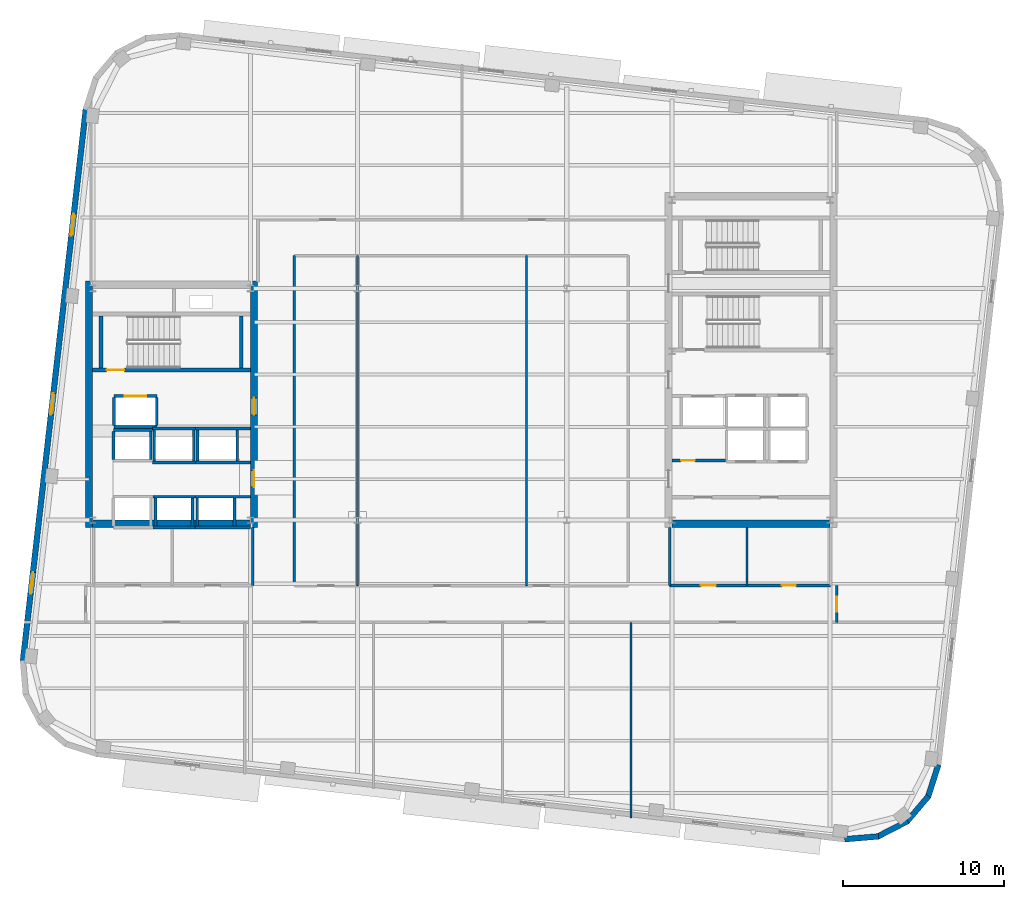
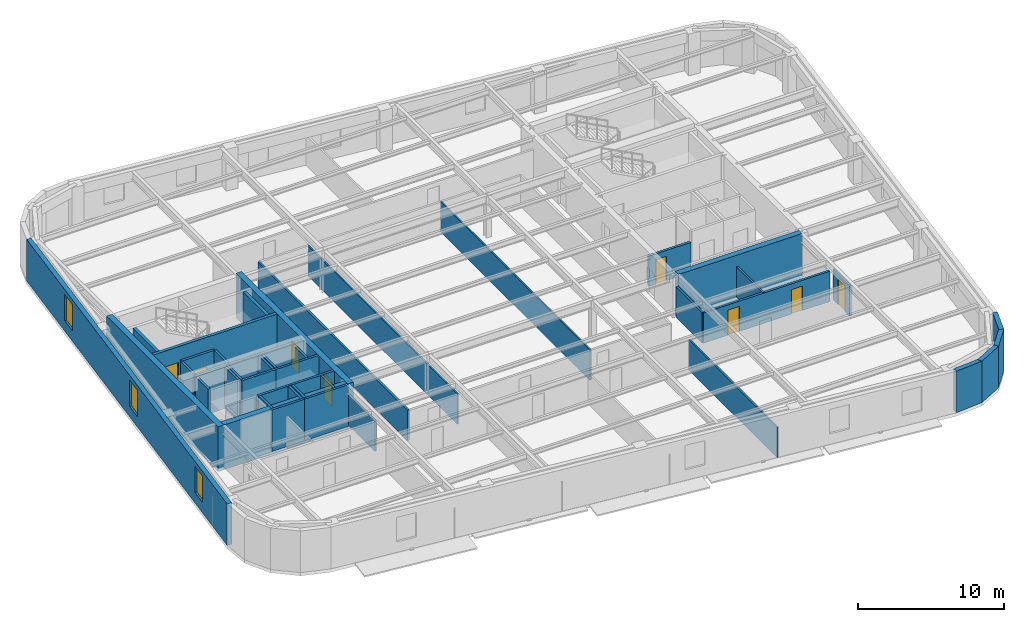
# One storey, part 6 of 12: 45 walls, 8 doors, 3 windows, 11 openings.
"""IFC4 building model written with IfcOpenShell, lengths in metres."""

import ifcopenshell
import ifcopenshell.guid

model = None  # the IFC model being written
_history = None  # IfcOwnerHistory: only IFC2X3 demands one
_inside = {}  # id of a spatial element -> (the spatial element, [elements in it])
_under = {}  # id of a project, library or spatial element -> (it, [spatial elements below it])
_declared = {}  # id of a project -> (the project, [libraries it declares])
_typed = {}  # id of a type object -> (the type object, [elements of that type])
_made_of = {}  # id of a material, layer set ... -> (it, [elements and type objects made of it])


def new_model(schema):
    """Start an empty IFC model of exactly this schema.

    Asked for "IFC4X3", IfcOpenShell would pick the latest addendum, in which some entities
    have other attributes; the version numbers below select the first issue.
    IFC2X3 requires an IfcOwnerHistory on every rooted entity: one is made here for all.
    """
    global model, _history
    if schema == "IFC4X3":
        model = ifcopenshell.file(schema_version=(4, 3, 0, 0))
    else:
        model = ifcopenshell.file(schema=schema)
    _inside.clear()
    _under.clear()
    _declared.clear()
    _typed.clear()
    _made_of.clear()
    _history = None
    if model.schema == "IFC2X3":
        org = make("IfcOrganization", Name="unknown")
        user = make(
            "IfcPersonAndOrganization",
            ThePerson=make("IfcPerson", FamilyName="unknown"),
            TheOrganization=org,
        )
        app = make(
            "IfcApplication",
            ApplicationDeveloper=org,
            Version="unknown",
            ApplicationFullName="unknown",
            ApplicationIdentifier="unknown",
        )
        _history = make(
            "IfcOwnerHistory",
            OwningUser=user,
            OwningApplication=app,
            ChangeAction="ADDED",
            CreationDate=0,
        )
    return model


def make(cls, **values):
    """One entity of the class cls with the attributes given. An attribute that is None is left unset."""
    return model.create_entity(
        cls, **{name: value for name, value in values.items() if value is not None}
    )


def rooted(cls, **values):
    """An entity with a GlobalId (a new one), such as an element, a storey or a relation."""
    return make(cls, GlobalId=ifcopenshell.guid.new(), OwnerHistory=_history, **values)


def si_unit(unit_type, name, prefix=None):
    """IfcSIUnit, for example si_unit("LENGTHUNIT", "METRE", prefix="MILLI")."""
    return make("IfcSIUnit", UnitType=unit_type, Prefix=prefix, Name=name)


def assignment(units):
    """IfcUnitAssignment: the units of a project."""
    return None if units is None else make("IfcUnitAssignment", Units=units)


def point(xyz):
    """IfcCartesianPoint."""
    return None if xyz is None else make("IfcCartesianPoint", Coordinates=xyz)


def direction(xyz):
    """IfcDirection."""
    return None if xyz is None else make("IfcDirection", DirectionRatios=xyz)


def frame(location, z_axis=None, x_axis=None):
    """IfcAxis2Placement3D, a coordinate frame: its origin and axes. An axis left out is left unset."""
    return make(
        "IfcAxis2Placement3D",
        Location=point(location),
        Axis=direction(z_axis),
        RefDirection=direction(x_axis),
    )


def frame_2d(location, x_axis=None):
    """IfcAxis2Placement2D, a coordinate frame in the plane: its origin and x axis."""
    return make(
        "IfcAxis2Placement2D", Location=point(location), RefDirection=direction(x_axis)
    )


def origin():
    """The frame at (0, 0, 0) with its axes left unset."""
    return frame((0.0, 0.0, 0.0))


def place(relative_to, where):
    """IfcLocalPlacement: puts the frame where relative to a parent placement (None: the world)."""
    return make(
        "IfcLocalPlacement", PlacementRelTo=relative_to, RelativePlacement=where
    )


def context(
    kind, dimensions, precision=None, world=None, true_north=None, identifier=None
):
    """IfcGeometricRepresentationContext, for example the 3D "Model" context."""
    return make(
        "IfcGeometricRepresentationContext",
        ContextIdentifier=identifier,
        ContextType=kind,
        CoordinateSpaceDimension=dimensions,
        Precision=precision,
        WorldCoordinateSystem=world,
        TrueNorth=true_north,
    )


def subcontext(parent, identifier, kind, view, scale=None):
    """IfcGeometricRepresentationSubContext, for example "Body" below "Model"."""
    return make(
        "IfcGeometricRepresentationSubContext",
        ContextIdentifier=identifier,
        ContextType=kind,
        ParentContext=parent,
        TargetScale=scale,
        TargetView=view,
    )


def project(units=None, contexts=None):
    """IfcProject with its units and contexts."""
    return rooted(
        "IfcProject",
        Name="project",
        RepresentationContexts=contexts,
        UnitsInContext=assignment(units),
    )


def spatial(cls, under=None, at=None, **own):
    """A site, building, storey or space (cls), placed at a placement, below another one or the project."""
    s = rooted(cls, ObjectPlacement=at, **own)
    if under is not None:
        _under.setdefault(under.id(), (under, []))[1].append(s)
    return s


def profile(cls, at=None, kind="AREA", **sizes):
    """A parametric profile (cls). Its sizes go by their IFC names, for example OverallWidth=200.0."""
    return make(cls, ProfileType=kind, Position=at, **sizes)


def rectangle(**sizes):
    """IfcRectangleProfileDef."""
    return profile("IfcRectangleProfileDef", **sizes)


def extrude(swept, where, along, depth):
    """IfcExtrudedAreaSolid: the profile swept, set in the frame where, extruded along a direction by depth."""
    return make(
        "IfcExtrudedAreaSolid",
        SweptArea=swept,
        Position=where,
        ExtrudedDirection=direction(along),
        Depth=depth,
    )


def shape(context_of_items, identifier, shape_type, items):
    """IfcShapeRepresentation: the items that make up one representation, for example the "Body"."""
    return make(
        "IfcShapeRepresentation",
        ContextOfItems=context_of_items,
        RepresentationIdentifier=identifier,
        RepresentationType=shape_type,
        Items=items,
    )


def material(Name=None, Category=None):
    """IfcMaterial."""
    return make("IfcMaterial", Name=Name, Category=Category)


def layer(
    of_material, thickness, ventilated=None, Name=None, Category=None, Priority=None
):
    """IfcMaterialLayer: one layer of a wall or slab, of a material (None: an air gap)."""
    return make(
        "IfcMaterialLayer",
        Material=of_material,
        LayerThickness=thickness,
        IsVentilated=ventilated,
        Name=Name,
        Category=Category,
        Priority=Priority,
    )


def layer_set(layers, Name=None):
    """IfcMaterialLayerSet."""
    return make("IfcMaterialLayerSet", MaterialLayers=layers, LayerSetName=Name)


def made_of(thing, what):
    """Note that an element or type object is made of a material, layer set ...; save() writes the relation."""
    if what is not None:
        _made_of.setdefault(what.id(), (what, []))[1].append(thing)
    return thing


def type_object(cls, material=None, **own):
    """A type object (cls), such as IfcWallType, which elements share."""
    return made_of(rooted(cls, **own), material)


def element(
    cls,
    number,
    at=None,
    inside=None,
    cuts=None,
    type_object=None,
    material=None,
    context=None,
    identifier="Body",
    shape_type=None,
    held_by="IfcProductDefinitionShape",
    body=None,
    shapes=None,
    **own,
):
    """One element of the class cls, such as IfcWall. Its Tag is "e" and its number.

    at: its placement. inside: the storey or other place that contains it. cuts: it is an
    opening in that element (IfcRelVoidsElement). A single representation is given by context,
    identifier, shape_type and body (its items); several are given by shapes. held_by: the class
    of the entity that holds the representations. save() writes the other relations.
    """
    e = rooted(cls, Tag="e%d" % number, ObjectPlacement=at, **own)
    if body is not None:
        shapes = [shape(context, identifier, shape_type, body)]
    if shapes is not None:
        e.Representation = make(held_by, Representations=shapes)
    if inside is not None:
        _inside.setdefault(inside.id(), (inside, []))[1].append(e)
    if cuts is not None:
        rooted(
            "IfcRelVoidsElement", RelatingBuildingElement=cuts, RelatedOpeningElement=e
        )
    if type_object is not None:
        _typed.setdefault(type_object.id(), (type_object, []))[1].append(e)
    return made_of(e, material)


def fill(opening, filler):
    """IfcRelFillsElement: the door or window that sits in an opening."""
    return rooted(
        "IfcRelFillsElement",
        RelatingOpeningElement=opening,
        RelatedBuildingElement=filler,
    )


def aggregate(whole, parts):
    """IfcRelAggregates: a whole, such as a stair, and the parts it consists of."""
    return rooted("IfcRelAggregates", RelatingObject=whole, RelatedObjects=parts)


def save(model, path):
    """Write the relations noted so far, then the file.

    IfcRelAggregates (storeys below a building ...), IfcRelContainedInSpatialStructure (elements
    in a storey), IfcRelDefinesByType, IfcRelAssociatesMaterial and IfcRelDeclares: one each for
    every whole, place, type object, material and project.
    """
    for whole, parts in _under.values():
        aggregate(whole, parts)
    for where, things in _inside.values():
        rooted(
            "IfcRelContainedInSpatialStructure",
            RelatedElements=things,
            RelatingStructure=where,
        )
    for kind, things in _typed.values():
        rooted("IfcRelDefinesByType", RelatedObjects=things, RelatingType=kind)
    for what, things in _made_of.values():
        rooted("IfcRelAssociatesMaterial", RelatedObjects=things, RelatingMaterial=what)
    for by, libraries in _declared.values():
        rooted("IfcRelDeclares", RelatingContext=by, RelatedDefinitions=libraries)
    model.write(path)


model = new_model("IFC4")

# Units and contexts
model_context = context("Model", 3, precision=1e-05, world=origin(), true_north=direction((0.0, 1.0)))
body_context = subcontext(model_context, "Body", "Model", "MODEL_VIEW")
ifc_project = project(units=[si_unit("LENGTHUNIT", "METRE"), si_unit("AREAUNIT", "SQUARE_METRE"), si_unit("VOLUMEUNIT", "CUBIC_METRE"), si_unit("PLANEANGLEUNIT", "RADIAN"), si_unit("MASSUNIT", "GRAM", prefix="KILO")], contexts=[model_context])

# Site, building, storey
site_placement = place(None, origin())
site = spatial("IfcSite", under=ifc_project, at=site_placement, CompositionType="ELEMENT")
building_placement = place(site_placement, origin())
building = spatial("IfcBuilding", under=site, at=building_placement, Name="Kolvaren Arena Tower", CompositionType="ELEMENT")
storey_placement = place(building_placement, frame((0.0, 0.0, 220.949951171875)))
storey = spatial("IfcBuildingStorey", under=building, at=storey_placement, Name="L53", CompositionType="ELEMENT", Elevation=220.949951171875)

# Wall
ifc_material_1 = material(Name="Gypsum board acoustic assembly", Category="gypsum")
ifc_layer_1 = layer(ifc_material_1, 0.159912109375)
ifc_layer_set_1 = layer_set([ifc_layer_1], Name="Gypsum board acoustic assembly")
wall_type_1 = type_object("IfcWallType", Name="CORR-160", PredefinedType="PARTITIONING", material=ifc_layer_set_1)
wall_1_placement = place(storey_placement, frame((27.080078125, 15.3798828125, 0.0), z_axis=(0.0, 0.0, 1.0), x_axis=(0.0, 1.0, 0.0)))
element("IfcWall", 1, at=wall_1_placement, inside=storey, type_object=wall_type_1, Name="Interior Partition Wall (L53)", PredefinedType="PARTITIONING", context=body_context, shape_type="SweptSolid", body=[
    extrude(rectangle(XDim=20.5, YDim=0.159912109375, at=frame_2d((10.25, 0.0))), origin(), (0.0, 0.0, 1.0), 2.5400390625),
])

# Wall, opening, door
wall_2_placement = place(storey_placement, frame((60.780029296875, 13.10009765625, 0.0), z_axis=(0.0, 0.0, 1.0), x_axis=(0.0, 1.0, 0.0)))
wall_2 = element("IfcWall", 2, at=wall_2_placement, inside=storey, type_object=wall_type_1, Name="Interior Partition Wall (L53)", PredefinedType="PARTITIONING", context=body_context, shape_type="SweptSolid", body=[
    extrude(rectangle(XDim=2.2998046875, YDim=0.159912109375, at=frame_2d((1.14990234375, 0.0))), origin(), (0.0, 0.0, 1.0), 2.5400390625),
])
opening_1_placement = place(wall_2_placement, frame((0.64990234375, 0.0, 0.0)))
opening_1 = element("IfcOpeningElement", 3, at=opening_1_placement, cuts=wall_2, Name="Opening D05", PredefinedType="OPENING", context=body_context, shape_type="SweptSolid", body=[
    extrude(rectangle(XDim=0.949951171875, YDim=2.14990234375, at=frame_2d((0.47509765625, 1.074951171875))), frame((0.0, 0.08984375, 0.0), z_axis=(0.0, -1.0, 0.0), x_axis=(1.0, 0.0, 0.0)), (0.0, 0.0, 1.0), 0.179931640625),
])
ifc_material_2 = material(Name="Solid-core oak acoustic office door", Category="wood")
door_type_1 = type_object("IfcDoorType", Name="DOOR-OF-095", OperationType="NOTDEFINED", PredefinedType="DOOR", material=ifc_material_2)
door_1_placement = place(opening_1_placement, origin())
door_1 = element("IfcDoor", 4, at=door_1_placement, inside=storey, type_object=door_type_1, Name="East Wing Studio Door (L53)", OperationType="SINGLE_SWING_RIGHT", OverallHeight=2.14990234375, OverallWidth=0.949951171875, PredefinedType="DOOR", context=body_context, shape_type="SweptSolid", body=[
    extrude(rectangle(XDim=0.949951171875, YDim=2.14990234375, at=frame_2d((0.47509765625, 1.074951171875))), frame((0.0, 0.02490234375, 0.0), z_axis=(0.0, -1.0, 0.0), x_axis=(1.0, 0.0, 0.0)), (0.0, 0.0, 1.0), 0.050048828125),
])
fill(opening_1, door_1)

# Wall
ifc_material_3 = material(Name="Concrete 55 MPa", Category="concrete")
ifc_layer_2 = layer(ifc_material_3, 0.449951171875)
ifc_layer_set_2 = layer_set([ifc_layer_2], Name="Concrete 55 MPa")
wall_type_2 = type_object("IfcWallType", Name="CWALL-450", PredefinedType="SHEAR", material=ifc_layer_set_2)
wall_3_placement = place(storey_placement, frame((14.324951171875, 19.0, -0.27001953125), z_axis=(0.0, 0.0, 1.0), x_axis=(0.0, 1.0, 0.0)))
element("IfcWall", 5, at=wall_3_placement, inside=storey, type_object=wall_type_2, Name="Core Shear Wall WC-WEST (L53)", PredefinedType="SHEAR", context=body_context, shape_type="SweptSolid", body=[
    extrude(rectangle(XDim=15.300048828125, YDim=0.449951171875, at=frame_2d((7.64990234375, 0.0))), origin(), (0.0, 0.0, 1.0), 3.75),
])

# Wall, openings, doors
wall_4_placement = place(storey_placement, frame((24.574951171875, 19.0, -0.27001953125), z_axis=(0.0, 0.0, 1.0), x_axis=(0.0, 1.0, 0.0)))
wall_4 = element("IfcWall", 6, at=wall_4_placement, inside=storey, type_object=wall_type_2, Name="Core Shear Wall WC-EAST (L53)", PredefinedType="SHEAR", context=body_context, shape_type="SweptSolid", body=[
    extrude(rectangle(XDim=15.300048828125, YDim=0.449951171875, at=frame_2d((7.64990234375, 0.0))), origin(), (0.0, 0.0, 1.0), 3.75),
])
opening_2_placement = place(wall_4_placement, frame((2.5, 0.0, 0.27001953125)))
opening_2 = element("IfcOpeningElement", 7, at=opening_2_placement, cuts=wall_4, Name="Opening D04", PredefinedType="OPENING", context=body_context, shape_type="SweptSolid", body=[
    extrude(rectangle(XDim=1.050048828125, YDim=2.14990234375, at=frame_2d((0.52490234375, 1.074951171875))), frame((0.0, 0.23486328125, 0.0), z_axis=(0.0, -1.0, 0.0), x_axis=(1.0, 0.0, 0.0)), (0.0, 0.0, 1.0), 0.469970703125),
])
opening_3_placement = place(wall_4_placement, frame((7.0, 0.0, 0.27001953125)))
opening_3 = element("IfcOpeningElement", 8, at=opening_3_placement, cuts=wall_4, Name="Opening D04", PredefinedType="OPENING", context=body_context, shape_type="SweptSolid", body=[
    extrude(rectangle(XDim=1.050048828125, YDim=2.14990234375, at=frame_2d((0.52490234375, 1.074951171875))), frame((0.0, 0.23486328125, 0.0), z_axis=(0.0, -1.0, 0.0), x_axis=(1.0, 0.0, 0.0)), (0.0, 0.0, 1.0), 0.469970703125),
])
ifc_material_4 = material(Name="Fire-rated steel lobby door", Category="steel")
door_type_2 = type_object("IfcDoorType", Name="DOOR-FF-105", OperationType="NOTDEFINED", PredefinedType="DOOR", material=ifc_material_4)
door_2_placement = place(opening_2_placement, origin())
door_2 = element("IfcDoor", 9, at=door_2_placement, inside=storey, type_object=door_type_2, Name="West Lift Lobby Fire Door (L53)", OperationType="SINGLE_SWING_LEFT", OverallHeight=2.14990234375, OverallWidth=1.050048828125, PredefinedType="DOOR", context=body_context, shape_type="SweptSolid", body=[
    extrude(rectangle(XDim=1.050048828125, YDim=2.14990234375, at=frame_2d((0.52490234375, 1.074951171875))), frame((0.0, 0.02490234375, 0.0), z_axis=(0.0, -1.0, 0.0), x_axis=(1.0, 0.0, 0.0)), (0.0, 0.0, 1.0), 0.050048828125),
])
fill(opening_2, door_2)
door_3_placement = place(opening_3_placement, origin())
door_3 = element("IfcDoor", 10, at=door_3_placement, inside=storey, type_object=door_type_2, Name="West Firefighter Vestibule Door (L53)", OperationType="SINGLE_SWING_RIGHT", OverallHeight=2.14990234375, OverallWidth=1.050048828125, PredefinedType="DOOR", context=body_context, shape_type="SweptSolid", body=[
    extrude(rectangle(XDim=1.050048828125, YDim=2.14990234375, at=frame_2d((0.52490234375, 1.074951171875))), frame((0.0, 0.02490234375, 0.0), z_axis=(0.0, -1.0, 0.0), x_axis=(1.0, 0.0, 0.0)), (0.0, 0.0, 1.0), 0.050048828125),
])
fill(opening_3, door_3)

# Walls
for number, where, z_axis, x_axis, name in (
    (11, (14.550048828125, 19.22509765625, -0.27001953125), (0.0, 0.0, 1.0), (1.0, 0.0, 0.0), "Core Shear Wall WC-SOUTH (L53)"),
    (12, (50.550048828125, 19.22509765625, -0.27001953125), (0.0, 0.0, 1.0), (1.0, 0.0, 0.0), "Core Shear Wall EC-SOUTH (L53)"),
):
    element("IfcWall", number, at=place(storey_placement, frame(where, z_axis=z_axis, x_axis=x_axis)), inside=storey, type_object=wall_type_2, Name=name, PredefinedType="SHEAR", context=body_context, shape_type="SweptSolid", body=[
        extrude(rectangle(XDim=9.800048828125, YDim=0.449951171875, at=frame_2d((4.89990234375, 0.0))), origin(), (0.0, 0.0, 1.0), 3.75),
    ])
ifc_material_5 = material(Name="Precast concrete C50/60", Category="concrete")
ifc_layer_3 = layer(ifc_material_5, 0.360107421875)
ifc_layer_set_3 = layer_set([ifc_layer_3], Name="Precast concrete C50/60")
wall_type_3 = type_object("IfcWallType", Name="EXT-PIER2", PredefinedType="SOLIDWALL", material=ifc_layer_set_3)
wall_5_placement = place(storey_placement, frame((63.370361328125, -0.199462890625, 0.0), z_axis=(0.0, 0.0, 1.0), x_axis=(-0.996562518477, -0.082844111233, 0.0)))
element("IfcWall", 13, at=wall_5_placement, inside=storey, type_object=wall_type_3, Name="Exterior Precast Masonry-Frame Wall (L53)", PredefinedType="SOLIDWALL", context=body_context, shape_type="SweptSolid", body=[
    extrude(rectangle(XDim=2.107177734375, YDim=0.360107421875, at=frame_2d((1.0537109375, 0.0))), origin(), (0.0, 0.0, 1.0), 3.47998046875),
])
for number, where, z_axis, x_axis, name in (
    (14, (65.176025390625, 0.745849609375, 0.0), (0.0, 0.0, 1.0), (-0.888985992199, -0.457934390142, 0.0), "Exterior Precast Masonry-Frame Wall (L53)"),
    (15, (66.482421875, 2.310302734375, 0.0), (0.0, 0.0, 1.0), (-0.646103249464, -0.763250018691, 0.0), "Exterior Precast Masonry-Frame Wall (L53)"),
):
    element("IfcWall", number, at=place(storey_placement, frame(where, z_axis=z_axis, x_axis=x_axis)), inside=storey, type_object=wall_type_3, Name=name, PredefinedType="SOLIDWALL", context=body_context, shape_type="SweptSolid", body=[
        extrude(rectangle(XDim=2.10693359375, YDim=0.360107421875, at=frame_2d((1.053466796875, 0.0))), origin(), (0.0, 0.0, 1.0), 3.47998046875),
    ])
wall_6_placement = place(storey_placement, frame((67.0908203125, 4.255615234375, 0.0), z_axis=(0.0, 0.0, 1.0), x_axis=(-0.304838787518, -0.952403965565, 0.0)))
element("IfcWall", 16, at=wall_6_placement, inside=storey, type_object=wall_type_3, Name="Exterior Precast Masonry-Frame Wall (L53)", PredefinedType="SOLIDWALL", context=body_context, shape_type="SweptSolid", body=[
    extrude(rectangle(XDim=2.107177734375, YDim=0.360107421875, at=frame_2d((1.0537109375, 0.0))), origin(), (0.0, 0.0, 1.0), 3.47998046875),
])

# Wall, openings, windows
wall_7_placement = place(storey_placement, frame((10.211181640625, 10.70068359375, 0.0), z_axis=(0.0, 0.0, 1.0), x_axis=(0.113203107947, 0.993571867733, 0.0)))
wall_7 = element("IfcWall", 17, at=wall_7_placement, inside=storey, type_object=wall_type_3, Name="Exterior Precast Masonry-Frame Wall (L53)", PredefinedType="SOLIDWALL", context=body_context, shape_type="SweptSolid", body=[
    extrude(rectangle(XDim=34.5, YDim=0.360107421875, at=frame_2d((17.25, 0.0))), origin(), (0.0, 0.0, 1.0), 3.47998046875),
])
opening_4_placement = place(wall_7_placement, frame((4.199951171875, 0.0, 0.8798828125)))
opening_4 = element("IfcOpeningElement", 18, at=opening_4_placement, cuts=wall_7, Name="Opening W04", PredefinedType="OPENING", context=body_context, shape_type="SweptSolid", body=[
    extrude(rectangle(XDim=1.35009765625, YDim=2.199951171875, at=frame_2d((0.675048828125, 1.10009765625))), frame((0.0, 0.18994140625, 0.0), z_axis=(0.0, -1.0, 0.0), x_axis=(1.0, 0.0, 0.0)), (0.0, 0.0, 1.0), 0.380126953125),
])
opening_5_placement = place(wall_7_placement, frame((15.39990234375, 0.0, 0.8798828125)))
opening_5 = element("IfcOpeningElement", 19, at=opening_5_placement, cuts=wall_7, Name="Opening W04", PredefinedType="OPENING", context=body_context, shape_type="SweptSolid", body=[
    extrude(rectangle(XDim=1.35009765625, YDim=2.199951171875, at=frame_2d((0.675048828125, 1.10009765625))), frame((0.0, 0.18994140625, 0.0), z_axis=(0.0, -1.0, 0.0), x_axis=(1.0, 0.0, 0.0)), (0.0, 0.0, 1.0), 0.380126953125),
])
opening_6_placement = place(wall_7_placement, frame((26.60009765625, 0.0, 0.8798828125)))
opening_6 = element("IfcOpeningElement", 20, at=opening_6_placement, cuts=wall_7, Name="Opening W04", PredefinedType="OPENING", context=body_context, shape_type="SweptSolid", body=[
    extrude(rectangle(XDim=1.35009765625, YDim=2.199951171875, at=frame_2d((0.675048828125, 1.10009765625))), frame((0.0, 0.18994140625, 0.0), z_axis=(0.0, -1.0, 0.0), x_axis=(1.0, 0.0, 0.0)), (0.0, 0.0, 1.0), 0.380126953125),
])
ifc_material_6 = material(Name="Triple-glazed curved-facet corner window", Category="glass")
window_type = type_object("IfcWindowType", Name="WIN-CRN-A", PartitioningType="SINGLE_PANEL", PredefinedType="WINDOW", material=ifc_material_6)
window_1_placement = place(opening_4_placement, origin())
window_1 = element("IfcWindow", 21, at=window_1_placement, inside=storey, type_object=window_type, Name="End-Wall Punched Window (L53)", OverallHeight=2.199951171875, OverallWidth=1.35009765625, PartitioningType="SINGLE_PANEL", PredefinedType="WINDOW", context=body_context, shape_type="SweptSolid", body=[
    extrude(rectangle(XDim=1.35009765625, YDim=2.199951171875, at=frame_2d((0.675048828125, 1.10009765625))), frame((0.0, 0.030029296875, 0.0), z_axis=(0.0, -1.0, 0.0), x_axis=(1.0, 0.0, 0.0)), (0.0, 0.0, 1.0), 0.06005859375),
])
fill(opening_4, window_1)
window_2_placement = place(opening_5_placement, origin())
window_2 = element("IfcWindow", 22, at=window_2_placement, inside=storey, type_object=window_type, Name="End-Wall Punched Window (L53)", OverallHeight=2.199951171875, OverallWidth=1.35009765625, PartitioningType="SINGLE_PANEL", PredefinedType="WINDOW", context=body_context, shape_type="SweptSolid", body=[
    extrude(rectangle(XDim=1.35009765625, YDim=2.199951171875, at=frame_2d((0.675048828125, 1.10009765625))), frame((0.0, 0.030029296875, 0.0), z_axis=(0.0, -1.0, 0.0), x_axis=(1.0, 0.0, 0.0)), (0.0, 0.0, 1.0), 0.06005859375),
])
fill(opening_5, window_2)
window_3_placement = place(opening_6_placement, origin())
window_3 = element("IfcWindow", 23, at=window_3_placement, inside=storey, type_object=window_type, Name="End-Wall Punched Window (L53)", OverallHeight=2.199951171875, OverallWidth=1.35009765625, PartitioningType="SINGLE_PANEL", PredefinedType="WINDOW", context=body_context, shape_type="SweptSolid", body=[
    extrude(rectangle(XDim=1.35009765625, YDim=2.199951171875, at=frame_2d((0.675048828125, 1.10009765625))), frame((0.0, 0.030029296875, 0.0), z_axis=(0.0, -1.0, 0.0), x_axis=(1.0, 0.0, 0.0)), (0.0, 0.0, 1.0), 0.06005859375),
])
fill(opening_6, window_3)

# Wall, opening, door
ifc_material_7 = material(Name="Concrete 40 MPa", Category="concrete")
ifc_layer_4 = layer(ifc_material_7, 0.199951171875)
ifc_layer_set_4 = layer_set([ifc_layer_4], Name="Concrete 40 MPa")
wall_type_4 = type_object("IfcWallType", Name="LOBBY-200", PredefinedType="SOLIDWALL", material=ifc_layer_set_4)
wall_8_placement = place(storey_placement, frame((50.550048828125, 23.159912109375, 0.0), z_axis=(0.0, 0.0, 1.0), x_axis=(1.0, 0.0, 0.0)))
wall_8 = element("IfcWall", 24, at=wall_8_placement, inside=storey, type_object=wall_type_4, Name="Core Shaft Wall (L53)", PredefinedType="SOLIDWALL", context=body_context, shape_type="SweptSolid", body=[
    extrude(rectangle(XDim=3.329833984375, YDim=0.199951171875, at=frame_2d((1.6650390625, 0.0))), origin(), (0.0, 0.0, 1.0), 2.5400390625),
])
opening_7_placement = place(wall_8_placement, frame((0.550048828125, 0.0, 0.0)))
opening_7 = element("IfcOpeningElement", 25, at=opening_7_placement, cuts=wall_8, Name="Opening D09", PredefinedType="OPENING", context=body_context, shape_type="SweptSolid", body=[
    extrude(rectangle(XDim=0.860107421875, YDim=2.050048828125, at=frame_2d((0.43017578125, 1.02490234375))), frame((0.0, 0.10986328125, 0.0), z_axis=(0.0, -1.0, 0.0), x_axis=(1.0, 0.0, 0.0)), (0.0, 0.0, 1.0), 0.219970703125),
])
ifc_material_8 = material(Name="Fire-rated steel riser access door", Category="steel")
door_type_3 = type_object("IfcDoorType", Name="DOOR-RS-086", OperationType="NOTDEFINED", PredefinedType="DOOR", material=ifc_material_8)
door_4_placement = place(opening_7_placement, origin())
door_4 = element("IfcDoor", 26, at=door_4_placement, inside=storey, type_object=door_type_3, Name="East AV Riser Closet Door (L53)", OperationType="SINGLE_SWING_LEFT", OverallHeight=2.050048828125, OverallWidth=0.860107421875, PredefinedType="DOOR", context=body_context, shape_type="SweptSolid", body=[
    extrude(rectangle(XDim=0.860107421875, YDim=2.050048828125, at=frame_2d((0.43017578125, 1.02490234375))), frame((0.0, 0.02490234375, 0.0), z_axis=(0.0, -1.0, 0.0), x_axis=(1.0, 0.0, 0.0)), (0.0, 0.0, 1.0), 0.050048828125),
])
fill(opening_7, door_4)

# Walls
ifc_material_9 = material(Name="Gypsum board partition assembly", Category="gypsum")
ifc_layer_5 = layer(ifc_material_9, 0.114990234375)
ifc_layer_set_5 = layer_set([ifc_layer_5], Name="Gypsum board partition assembly")
wall_type_5 = type_object("IfcWallType", Name="PART-115", PredefinedType="PARTITIONING", material=ifc_layer_set_5)
for number, where, z_axis, x_axis, name in (
    (27, (31.0, 15.3798828125, 0.0), (0.0, 0.0, 1.0), (0.0, 1.0, 0.0), "Interior Partition Wall (L53)"),
    (28, (41.5, 15.3798828125, 0.0), (0.0, 0.0, 1.0), (0.0, 1.0, 0.0), "Interior Partition Wall (L53)"),
):
    element("IfcWall", number, at=place(storey_placement, frame(where, z_axis=z_axis, x_axis=x_axis)), inside=storey, type_object=wall_type_5, Name=name, PredefinedType="PARTITIONING", context=body_context, shape_type="SweptSolid", body=[
        extrude(rectangle(XDim=20.5, YDim=0.114990234375, at=frame_2d((10.25, 0.0))), origin(), (0.0, 0.0, 1.0), 2.5400390625),
    ])
ifc_layer_6 = layer(ifc_material_9, 0.135009765625)
ifc_layer_set_6 = layer_set([ifc_layer_6], Name="Gypsum board partition assembly")
wall_type_6 = type_object("IfcWallType", Name="PART-135", PredefinedType="PARTITIONING", material=ifc_layer_set_6)
wall_9_placement = place(storey_placement, frame((48.0, 0.960205078125, 0.0), z_axis=(0.0, 0.0, 1.0), x_axis=(0.0, 1.0, 0.0)))
element("IfcWall", 29, at=wall_9_placement, inside=storey, type_object=wall_type_6, Name="Interior Partition Wall (L53)", PredefinedType="PARTITIONING", context=body_context, shape_type="SweptSolid", body=[
    extrude(rectangle(XDim=12.139892578125, YDim=0.135009765625, at=frame_2d((6.06982421875, 0.0))), origin(), (0.0, 0.0, 1.0), 2.5400390625),
])

# Wall, opening, door
ifc_material_10 = material(Name="Concrete 45 MPa", Category="concrete")
ifc_layer_7 = layer(ifc_material_10, 0.25)
ifc_layer_set_7 = layer_set([ifc_layer_7], Name="Concrete 45 MPa")
wall_type_7 = type_object("IfcWallType", Name="SHAFT-250", PredefinedType="SOLIDWALL", material=ifc_layer_set_7)
wall_10_placement = place(storey_placement, frame((24.35009765625, 28.780029296875, 0.0), z_axis=(0.0, 0.0, 1.0), x_axis=(-1.0, 0.0, 0.0)))
wall_10 = element("IfcWall", 30, at=wall_10_placement, inside=storey, type_object=wall_type_7, Name="Core Shaft Wall (L53)", PredefinedType="SOLIDWALL", context=body_context, shape_type="SweptSolid", body=[
    extrude(rectangle(XDim=9.800048828125, YDim=0.239990234375, at=frame_2d((4.89990234375, 0.0))), origin(), (0.0, 0.0, 1.0), 3.47998046875),
])
opening_8_placement = place(wall_10_placement, frame((7.830078125, 0.0, 0.0)))
opening_8 = element("IfcOpeningElement", 31, at=opening_8_placement, cuts=wall_10, Name="Opening D03", PredefinedType="OPENING", context=body_context, shape_type="SweptSolid", body=[
    extrude(rectangle(XDim=1.10009765625, YDim=2.14990234375, at=frame_2d((0.550048828125, 1.074951171875))), frame((0.0, 0.1298828125, 0.0), z_axis=(0.0, -1.0, 0.0), x_axis=(1.0, 0.0, 0.0)), (0.0, 0.0, 1.0), 0.260009765625),
])
ifc_material_11 = material(Name="Fire-rated steel exit stair door", Category="steel")
door_type_4 = type_object("IfcDoorType", Name="DOOR-ST-110", OperationType="NOTDEFINED", PredefinedType="DOOR", material=ifc_material_11)
door_5_placement = place(opening_8_placement, origin())
door_5 = element("IfcDoor", 32, at=door_5_placement, inside=storey, type_object=door_type_4, Name="Stair ST-W1 Fire Door (L53)", OperationType="SINGLE_SWING_RIGHT", OverallHeight=2.14990234375, OverallWidth=1.10009765625, PredefinedType="DOOR", context=body_context, shape_type="SweptSolid", body=[
    extrude(rectangle(XDim=1.10009765625, YDim=2.14990234375, at=frame_2d((0.550048828125, 1.074951171875))), frame((0.0, 0.02490234375, 0.0), z_axis=(0.0, -1.0, 0.0), x_axis=(1.0, 0.0, 0.0)), (0.0, 0.0, 1.0), 0.050048828125),
])
fill(opening_8, door_5)

# Walls
for number, where, z_axis, x_axis, name in (
    (33, (15.06005859375, 28.89990234375, 0.0), (0.0, 0.0, 1.0), (0.0, 1.0, 0.0), "Core Shaft Wall (L53)"),
    (34, (23.780029296875, 28.89990234375, 0.0), (0.0, 0.0, 1.0), (0.0, 1.0, 0.0), "Core Shaft Wall (L53)"),
):
    element("IfcWall", number, at=place(storey_placement, frame(where, z_axis=z_axis, x_axis=x_axis)), inside=storey, type_object=wall_type_7, Name=name, PredefinedType="SOLIDWALL", context=body_context, shape_type="SweptSolid", body=[
        extrude(rectangle(XDim=3.22998046875, YDim=0.239990234375, at=frame_2d((1.614990234375, 0.0))), origin(), (0.0, 0.0, 1.0), 3.47998046875),
    ])
for number, where, z_axis, x_axis, name in (
    (35, (18.300048828125, 20.905029296875, 0.0), (0.0, 0.0, 1.0), (1.0, 0.0, 0.0), "Core Shaft Wall (L53)"),
    (36, (18.300048828125, 18.9951171875, 0.0), (0.0, 0.0, 1.0), (1.0, 0.0, 0.0), "Core Shaft Wall (L53)"),
):
    element("IfcWall", number, at=place(storey_placement, frame(where, z_axis=z_axis, x_axis=x_axis)), inside=storey, type_object=wall_type_7, Name=name, PredefinedType="SOLIDWALL", context=body_context, shape_type="SweptSolid", body=[
        extrude(rectangle(XDim=2.599853515625, YDim=0.179931640625, at=frame_2d((1.2998046875, 0.0))), origin(), (0.0, 0.0, 1.0), 3.47998046875),
    ])
for number, where, z_axis, x_axis, name in (
    (37, (18.445068359375, 19.0849609375, 0.0), (0.0, 0.0, 1.0), (0.0, 1.0, 0.0), "Core Shaft Wall (L53)"),
    (38, (20.7548828125, 19.0849609375, 0.0), (0.0, 0.0, 1.0), (0.0, 1.0, 0.0), "Core Shaft Wall (L53)"),
):
    element("IfcWall", number, at=place(storey_placement, frame(where, z_axis=z_axis, x_axis=x_axis)), inside=storey, type_object=wall_type_7, Name=name, PredefinedType="SOLIDWALL", context=body_context, shape_type="SweptSolid", body=[
        extrude(rectangle(XDim=1.72998046875, YDim=0.179931640625, at=frame_2d((0.864990234375, 0.0))), origin(), (0.0, 0.0, 1.0), 3.47998046875),
    ])
for number, where, z_axis, x_axis, name in (
    (39, (20.89990234375, 20.905029296875, 0.0), (0.0, 0.0, 1.0), (1.0, 0.0, 0.0), "Core Shaft Wall (L53)"),
    (40, (20.89990234375, 18.9951171875, 0.0), (0.0, 0.0, 1.0), (1.0, 0.0, 0.0), "Core Shaft Wall (L53)"),
):
    element("IfcWall", number, at=place(storey_placement, frame(where, z_axis=z_axis, x_axis=x_axis)), inside=storey, type_object=wall_type_7, Name=name, PredefinedType="SOLIDWALL", context=body_context, shape_type="SweptSolid", body=[
        extrude(rectangle(XDim=3.4501953125, YDim=0.179931640625, at=frame_2d((1.72509765625, 0.0))), origin(), (0.0, 0.0, 1.0), 3.47998046875),
    ])
for number, where, z_axis, x_axis, name in (
    (41, (21.044921875, 19.0849609375, 0.0), (0.0, 0.0, 1.0), (0.0, 1.0, 0.0), "Core Shaft Wall (L53)"),
    (42, (23.35498046875, 19.0849609375, 0.0), (0.0, 0.0, 1.0), (0.0, 1.0, 0.0), "Core Shaft Wall (L53)"),
):
    element("IfcWall", number, at=place(storey_placement, frame(where, z_axis=z_axis, x_axis=x_axis)), inside=storey, type_object=wall_type_7, Name=name, PredefinedType="SOLIDWALL", context=body_context, shape_type="SweptSolid", body=[
        extrude(rectangle(XDim=1.72998046875, YDim=0.179931640625, at=frame_2d((0.864990234375, 0.0))), origin(), (0.0, 0.0, 1.0), 3.47998046875),
    ])
wall_11_placement = place(storey_placement, frame((15.844970703125, 25.054931640625, 0.0), z_axis=(0.0, 0.0, 1.0), x_axis=(1.0, 0.0, 0.0)))
element("IfcWall", 43, at=wall_11_placement, inside=storey, type_object=wall_type_7, Name="Core Shaft Wall (L53)", PredefinedType="SOLIDWALL", context=body_context, shape_type="SweptSolid", body=[
    extrude(rectangle(XDim=2.41748046875, YDim=0.179931640625, at=frame_2d((1.208740234375, 0.0))), origin(), (0.0, 0.0, 1.0), 3.47998046875),
])
for number, where, z_axis, x_axis, name in (
    (44, (15.844970703125, 23.235107421875, 0.0), (0.0, 0.0, 1.0), (0.0, 1.0, 0.0), "Core Shaft Wall (L53)"),
    (45, (18.155029296875, 23.235107421875, 0.0), (0.0, 0.0, 1.0), (0.0, 1.0, 0.0), "Core Shaft Wall (L53)"),
):
    element("IfcWall", number, at=place(storey_placement, frame(where, z_axis=z_axis, x_axis=x_axis)), inside=storey, type_object=wall_type_7, Name=name, PredefinedType="SOLIDWALL", context=body_context, shape_type="SweptSolid", body=[
        extrude(rectangle(XDim=1.72998046875, YDim=0.179931640625, at=frame_2d((0.864990234375, 0.0))), origin(), (0.0, 0.0, 1.0), 3.47998046875),
    ])
for number, where, z_axis, x_axis, name in (
    (46, (18.262451171875, 25.155029296875, 0.0), (0.0, 0.0, 1.0), (1.0, 0.0, 0.0), "Core Shaft Wall (L53)"),
    (47, (18.262451171875, 23.044921875, 0.0), (0.0, 0.0, 1.0), (1.0, 0.0, 0.0), "Core Shaft Wall (L53)"),
):
    element("IfcWall", number, at=place(storey_placement, frame(where, z_axis=z_axis, x_axis=x_axis)), inside=storey, type_object=wall_type_7, Name=name, PredefinedType="SOLIDWALL", context=body_context, shape_type="SweptSolid", body=[
        extrude(rectangle(XDim=2.6875, YDim=0.179931640625, at=frame_2d((1.34375, 0.0))), origin(), (0.0, 0.0, 1.0), 3.47998046875),
    ])
for number, where, z_axis, x_axis, name in (
    (48, (18.3701171875, 23.135009765625, 0.0), (0.0, 0.0, 1.0), (0.0, 1.0, 0.0), "Core Shaft Wall (L53)"),
    (49, (20.830078125, 23.135009765625, 0.0), (0.0, 0.0, 1.0), (0.0, 1.0, 0.0), "Core Shaft Wall (L53)"),
):
    element("IfcWall", number, at=place(storey_placement, frame(where, z_axis=z_axis, x_axis=x_axis)), inside=storey, type_object=wall_type_7, Name=name, PredefinedType="SOLIDWALL", context=body_context, shape_type="SweptSolid", body=[
        extrude(rectangle(XDim=1.929931640625, YDim=0.179931640625, at=frame_2d((0.96484375, 0.0))), origin(), (0.0, 0.0, 1.0), 3.47998046875),
    ])
for number, where, z_axis, x_axis, name in (
    (50, (20.949951171875, 25.155029296875, 0.0), (0.0, 0.0, 1.0), (1.0, 0.0, 0.0), "Core Shaft Wall (L53)"),
    (51, (20.949951171875, 23.044921875, 0.0), (0.0, 0.0, 1.0), (1.0, 0.0, 0.0), "Core Shaft Wall (L53)"),
):
    element("IfcWall", number, at=place(storey_placement, frame(where, z_axis=z_axis, x_axis=x_axis)), inside=storey, type_object=wall_type_7, Name=name, PredefinedType="SOLIDWALL", context=body_context, shape_type="SweptSolid", body=[
        extrude(rectangle(XDim=3.400146484375, YDim=0.179931640625, at=frame_2d((1.7001953125, 0.0))), origin(), (0.0, 0.0, 1.0), 3.47998046875),
    ])
for number, where, z_axis, x_axis, name in (
    (52, (21.070068359375, 23.135009765625, 0.0), (0.0, 0.0, 1.0), (0.0, 1.0, 0.0), "Core Shaft Wall (L53)"),
    (53, (23.530029296875, 23.135009765625, 0.0), (0.0, 0.0, 1.0), (0.0, 1.0, 0.0), "Core Shaft Wall (L53)"),
):
    element("IfcWall", number, at=place(storey_placement, frame(where, z_axis=z_axis, x_axis=x_axis)), inside=storey, type_object=wall_type_7, Name=name, PredefinedType="SOLIDWALL", context=body_context, shape_type="SweptSolid", body=[
        extrude(rectangle(XDim=1.929931640625, YDim=0.179931640625, at=frame_2d((0.96484375, 0.0))), origin(), (0.0, 0.0, 1.0), 3.47998046875),
    ])

# Wall, opening, door
wall_12_placement = place(storey_placement, frame((15.8701171875, 27.155029296875, 0.0), z_axis=(0.0, 0.0, 1.0), x_axis=(1.0, 0.0, 0.0)))
wall_12 = element("IfcWall", 54, at=wall_12_placement, inside=storey, type_object=wall_type_7, Name="Core Shaft Wall (L53)", PredefinedType="SOLIDWALL", context=body_context, shape_type="SweptSolid", body=[
    extrude(rectangle(XDim=2.659912109375, YDim=0.179931640625, at=frame_2d((1.330078125, 0.0))), origin(), (0.0, 0.0, 1.0), 3.47998046875),
])
opening_9_placement = place(wall_12_placement, frame((0.655029296875, 0.0, 0.0)))
opening_9 = element("IfcOpeningElement", 55, at=opening_9_placement, cuts=wall_12, Name="Opening LD2", PredefinedType="OPENING", context=body_context, shape_type="SweptSolid", body=[
    extrude(rectangle(XDim=1.35009765625, YDim=2.300048828125, at=frame_2d((0.675048828125, 1.14990234375))), frame((0.0, 0.099853515625, 0.0), z_axis=(0.0, -1.0, 0.0), x_axis=(1.0, 0.0, 0.0)), (0.0, 0.0, 1.0), 0.199951171875),
])
ifc_material_12 = material(Name="Stainless steel firefighter lift landing door", Category="steel")
door_type_5 = type_object("IfcDoorType", Name="DOOR-LD-135", OperationType="DOUBLE_DOOR_SLIDING", PredefinedType="DOOR", material=ifc_material_12)
door_6_placement = place(opening_9_placement, origin())
door_6 = element("IfcDoor", 56, at=door_6_placement, inside=storey, type_object=door_type_5, Name="Firefighter Lift FF-W1 Landing Door (L53)", OperationType="DOUBLE_DOOR_SLIDING", OverallHeight=2.300048828125, OverallWidth=1.35009765625, PredefinedType="DOOR", context=body_context, shape_type="SweptSolid", body=[
    extrude(rectangle(XDim=1.35009765625, YDim=2.300048828125, at=frame_2d((0.675048828125, 1.14990234375))), frame((0.0, 0.02490234375, 0.0), z_axis=(0.0, -1.0, 0.0), x_axis=(1.0, 0.0, 0.0)), (0.0, 0.0, 1.0), 0.050048828125),
])
fill(opening_9, door_6)

# Walls
wall_13_placement = place(storey_placement, frame((15.8701171875, 25.2451171875, 0.0), z_axis=(0.0, 0.0, 1.0), x_axis=(1.0, 0.0, 0.0)))
element("IfcWall", 57, at=wall_13_placement, inside=storey, type_object=wall_type_7, Name="Core Shaft Wall (L53)", PredefinedType="SOLIDWALL", context=body_context, shape_type="SweptSolid", body=[
    extrude(rectangle(XDim=2.659912109375, YDim=0.179931640625, at=frame_2d((1.330078125, 0.0))), origin(), (0.0, 0.0, 1.0), 3.47998046875),
])
for number, where, z_axis, x_axis, name in (
    (58, (15.8701171875, 25.3349609375, 0.0), (0.0, 0.0, 1.0), (0.0, 1.0, 0.0), "Core Shaft Wall (L53)"),
    (59, (18.530029296875, 25.3349609375, 0.0), (0.0, 0.0, 1.0), (0.0, 1.0, 0.0), "Core Shaft Wall (L53)"),
):
    element("IfcWall", number, at=place(storey_placement, frame(where, z_axis=z_axis, x_axis=x_axis)), inside=storey, type_object=wall_type_7, Name=name, PredefinedType="SOLIDWALL", context=body_context, shape_type="SweptSolid", body=[
        extrude(rectangle(XDim=1.72998046875, YDim=0.179931640625, at=frame_2d((0.864990234375, 0.0))), origin(), (0.0, 0.0, 1.0), 3.47998046875),
    ])

# Wall, openings, doors
wall_14_placement = place(storey_placement, frame((50.39990234375, 15.39990234375, 0.0), z_axis=(0.0, 0.0, 1.0), x_axis=(1.0, 0.0, 0.0)))
wall_14 = element("IfcWall", 60, at=wall_14_placement, inside=storey, type_object=wall_type_7, Name="Interior Partition Wall (L53)", PredefinedType="SOLIDWALL", context=body_context, shape_type="SweptSolid", body=[
    extrude(rectangle(XDim=10.0, YDim=0.179931640625, at=frame_2d((5.0, 0.0))), origin(), (0.0, 0.0, 1.0), 2.5400390625),
])
opening_10_placement = place(wall_14_placement, frame((1.93994140625, 0.0, 0.0)))
opening_10 = element("IfcOpeningElement", 61, at=opening_10_placement, cuts=wall_14, Name="Opening D07", PredefinedType="OPENING", context=body_context, shape_type="SweptSolid", body=[
    extrude(rectangle(XDim=0.919921875, YDim=2.10009765625, at=frame_2d((0.4599609375, 1.050048828125))), frame((0.0, 0.099853515625, 0.0), z_axis=(0.0, -1.0, 0.0), x_axis=(1.0, 0.0, 0.0)), (0.0, 0.0, 1.0), 0.199951171875),
])
opening_11_placement = place(wall_14_placement, frame((6.969970703125, 0.0, 0.0)))
opening_11 = element("IfcOpeningElement", 62, at=opening_11_placement, cuts=wall_14, Name="Opening D09", PredefinedType="OPENING", context=body_context, shape_type="SweptSolid", body=[
    extrude(rectangle(XDim=0.860107421875, YDim=2.050048828125, at=frame_2d((0.43017578125, 1.02490234375))), frame((0.0, 0.099853515625, 0.0), z_axis=(0.0, -1.0, 0.0), x_axis=(1.0, 0.0, 0.0)), (0.0, 0.0, 1.0), 0.199951171875),
])
door_7_placement = place(opening_11_placement, origin())
door_7 = element("IfcDoor", 63, at=door_7_placement, inside=storey, type_object=door_type_3, Name="Electrical Riser Closet Door (L53)", OperationType="SINGLE_SWING_RIGHT", OverallHeight=2.050048828125, OverallWidth=0.860107421875, PredefinedType="DOOR", context=body_context, shape_type="SweptSolid", body=[
    extrude(rectangle(XDim=0.860107421875, YDim=2.050048828125, at=frame_2d((0.43017578125, 1.02490234375))), frame((0.0, 0.02490234375, 0.0), z_axis=(0.0, -1.0, 0.0), x_axis=(1.0, 0.0, 0.0)), (0.0, 0.0, 1.0), 0.050048828125),
])
fill(opening_11, door_7)
ifc_material_13 = material(Name="Laminate universal washroom door", Category="wood")
door_type_6 = type_object("IfcDoorType", Name="DOOR-WC-092", OperationType="NOTDEFINED", PredefinedType="DOOR", material=ifc_material_13)
door_8_placement = place(opening_10_placement, origin())
door_8 = element("IfcDoor", 64, at=door_8_placement, inside=storey, type_object=door_type_6, Name="Cleaner and Janitor Store Door (L53)", OperationType="SINGLE_SWING_LEFT", OverallHeight=2.10009765625, OverallWidth=0.919921875, PredefinedType="DOOR", context=body_context, shape_type="SweptSolid", body=[
    extrude(rectangle(XDim=0.919921875, YDim=2.10009765625, at=frame_2d((0.4599609375, 1.050048828125))), frame((0.0, 0.02490234375, 0.0), z_axis=(0.0, -1.0, 0.0), x_axis=(1.0, 0.0, 0.0)), (0.0, 0.0, 1.0), 0.050048828125),
])
fill(opening_10, door_8)

# Walls
ifc_material_14 = material(Name="Moisture-resistant gypsum assembly", Category="gypsum")
ifc_layer_8 = layer(ifc_material_14, 0.14990234375)
ifc_layer_set_8 = layer_set([ifc_layer_8], Name="Moisture-resistant gypsum assembly")
wall_type_8 = type_object("IfcWallType", Name="WETW-150", PredefinedType="PARTITIONING", material=ifc_layer_set_8)
for number, where, z_axis, x_axis, name in (
    (65, (24.5, 15.39990234375, 0.0), (0.0, 0.0, 1.0), (0.0, 1.0, 0.0), "Interior Partition Wall (L53)"),
    (66, (55.199951171875, 15.39990234375, 0.0), (0.0, 0.0, 1.0), (0.0, 1.0, 0.0), "Interior Partition Wall (L53)"),
    (67, (50.39990234375, 15.39990234375, 0.0), (0.0, 0.0, 1.0), (0.0, 1.0, 0.0), "Interior Partition Wall (L53)"),
):
    element("IfcWall", number, at=place(storey_placement, frame(where, z_axis=z_axis, x_axis=x_axis)), inside=storey, type_object=wall_type_8, Name=name, PredefinedType="PARTITIONING", context=body_context, shape_type="SweptSolid", body=[
        extrude(rectangle(XDim=3.580078125, YDim=0.14990234375, at=frame_2d((1.7900390625, 0.0))), origin(), (0.0, 0.0, 1.0), 2.5400390625),
    ])

save(model, "model.ifc")
